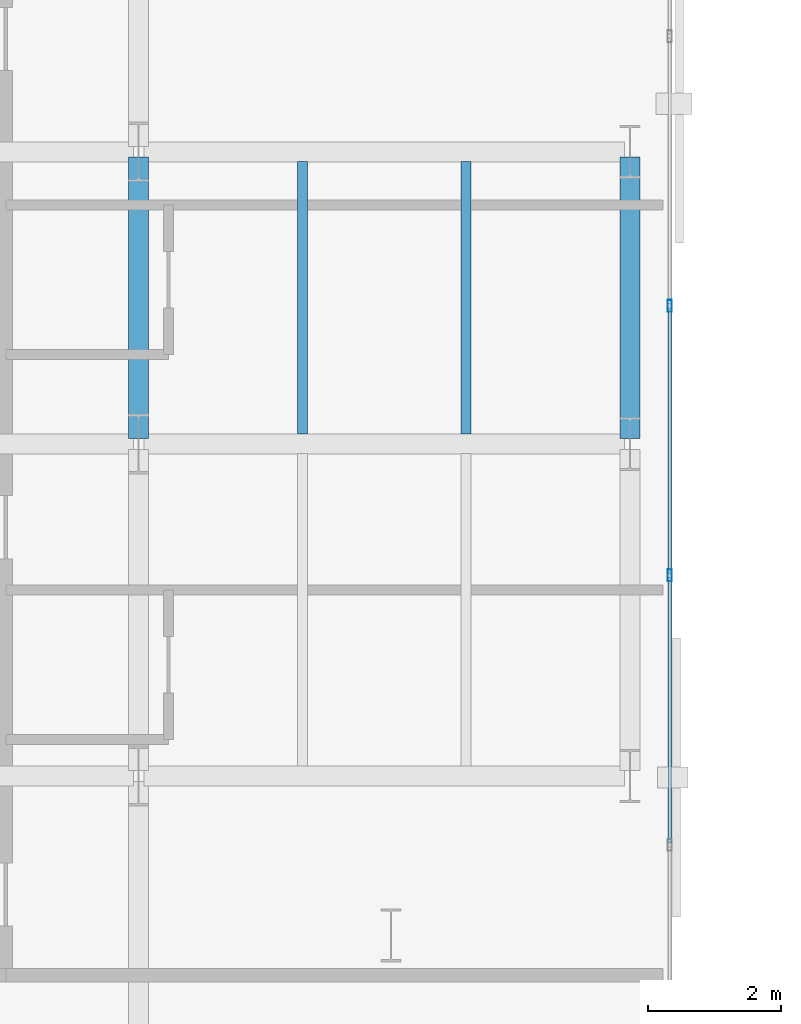
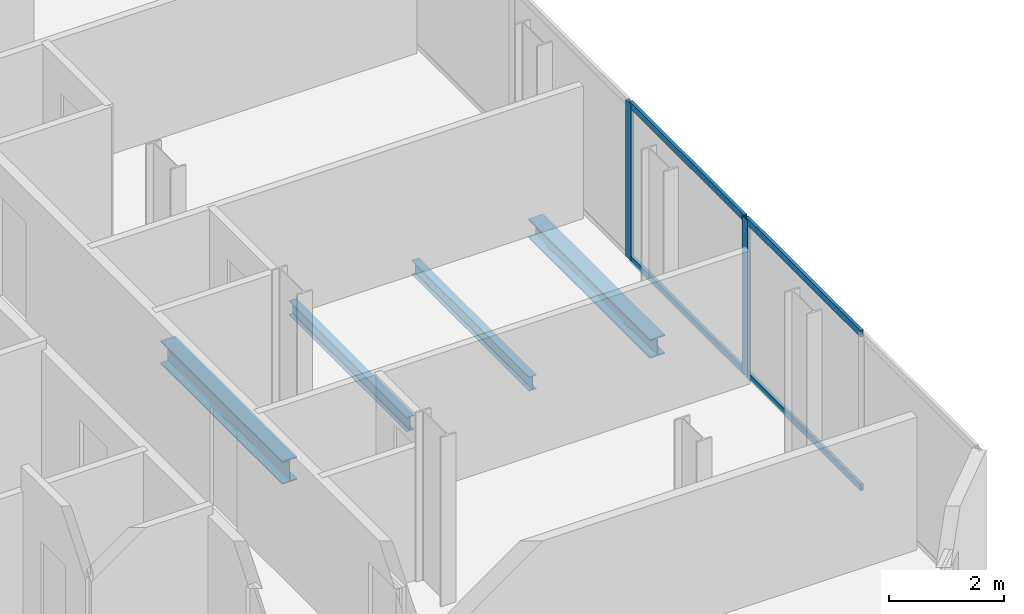
# One storey, part 8 of 32: 6 members, 4 beams, 1 element without a shape of its own.
"""IFC4 building model written with IfcOpenShell, lengths in metres."""

from ifc_helpers import new_model, si_unit, direction, frame, origin, origin_2d, place, context, subcontext, project, spatial, hollow_rectangle, i_section, extrude, material, layer, layer_set, material_profile, profile_set, type_object, element, aggregate, save


model = new_model("IFC4")

# Units and contexts
model_context = context("Model", 3, precision=1e-05, world=origin(), true_north=direction((0.0, 1.0)))
body_context = subcontext(model_context, "Body", "Model", "MODEL_VIEW")
ifc_project = project(units=[si_unit("LENGTHUNIT", "METRE"), si_unit("AREAUNIT", "SQUARE_METRE"), si_unit("VOLUMEUNIT", "CUBIC_METRE"), si_unit("PLANEANGLEUNIT", "RADIAN"), si_unit("MASSUNIT", "GRAM", prefix="KILO")], contexts=[model_context])

# Site, building, storey
site_placement = place(None, origin())
site = spatial("IfcSite", under=ifc_project, at=site_placement, CompositionType="ELEMENT")
building_placement = place(site_placement, origin())
building = spatial("IfcBuilding", under=site, at=building_placement, Name="Catumbela Crestline Tower", CompositionType="ELEMENT")
storey_placement = place(building_placement, frame((0.0, 0.0, 69.0)))
storey = spatial("IfcBuildingStorey", under=building, at=storey_placement, Name="L17", CompositionType="ELEMENT", Elevation=69.0)

# Beams
ifc_material_1 = material(Name="Structural steel S355J2", Category="steel")
ifc_material_profile_1 = material_profile(ifc_material_1, i_section(OverallWidth=0.3, OverallDepth=0.49, WebThickness=0.012, FlangeThickness=0.023, FilletRadius=0.027, at=origin_2d()), Name="HEA 500")
ifc_profile_set_1 = profile_set([ifc_material_profile_1], Name="Structural steel S355J2")
beam_type_1 = type_object("IfcBeamType", Name="BG-HEA500", PredefinedType="BEAM", material=ifc_profile_set_1)
beam_1_placement = place(storey_placement, frame((16.0, 13.68, -0.505), z_axis=(0.0, 1.0, 0.0), x_axis=(-1.0, 0.0, 0.0)))
element("IfcBeam", 1, at=beam_1_placement, inside=storey, type_object=beam_type_1, Name="L17 Beam BM-L17-WNS66", PredefinedType="BEAM", context=body_context, shape_type="SweptSolid", body=[
    extrude(i_section(OverallWidth=0.3, OverallDepth=0.49, WebThickness=0.012, FlangeThickness=0.023, FilletRadius=0.027, at=origin_2d()), origin(), (0.0, 0.0, 1.0), 4.24),
])
ifc_material_profile_2 = material_profile(ifc_material_1, i_section(OverallWidth=0.15, OverallDepth=0.3, WebThickness=0.0071, FlangeThickness=0.0107, FilletRadius=0.015, at=origin_2d()), Name="IPE 300")
ifc_profile_set_2 = profile_set([ifc_material_profile_2], Name="Structural steel S355J2")
beam_type_2 = type_object("IfcBeamType", Name="BJ-IPE300", PredefinedType="JOIST", material=ifc_profile_set_2)
for number, where, z_axis, x_axis, name in (
    (2, (18.467, 13.747, -0.41), (0.0, 1.0, 0.0), (-1.0, 0.0, 0.0), "L17 Joist JS-L17-WG80"),
    (3, (20.933, 13.747, -0.41), (0.0, 1.0, 0.0), (-1.0, 0.0, 0.0), "L17 Joist JS-L17-WG81"),
):
    element("IfcBeam", number, at=place(storey_placement, frame(where, z_axis=z_axis, x_axis=x_axis)), inside=storey, type_object=beam_type_2, Name=name, PredefinedType="JOIST", context=body_context, shape_type="SweptSolid", body=[
        extrude(i_section(OverallWidth=0.15, OverallDepth=0.3, WebThickness=0.0071, FlangeThickness=0.0107, FilletRadius=0.015, at=origin_2d()), origin(), (0.0, 0.0, 1.0), 4.106),
    ])

# Curtain wall, members
ifc_material_2 = material(Name="Aluminium alloy AW-6060-T66", Category="aluminium")
ifc_layer = layer(ifc_material_2, 0.18, Name="Aluminium alloy AW-6060-T66")
ifc_layer_set = layer_set([ifc_layer], Name="Aluminium alloy AW-6060-T66")
curtain_wall_type = type_object("IfcCurtainWallType", Name="CWU-Z1", PredefinedType="USERDEFINED", material=ifc_layer_set)
curtain_wall_placement = place(storey_placement, origin())
curtain_wall = element("IfcCurtainWall", 4, at=curtain_wall_placement, inside=storey, type_object=curtain_wall_type, Name="L17 Unitised Curtain Wall CW-L17-E2S1", ObjectType="UNITISED", PredefinedType="USERDEFINED")
ifc_material_profile_3 = material_profile(ifc_material_2, hollow_rectangle(XDim=0.065, YDim=0.18, WallThickness=0.004, at=origin_2d()), Name="ALU 180x65x4")
ifc_profile_set_3 = profile_set([ifc_material_profile_3], Name="Aluminium alloy AW-6060-T66")
member_type_1 = type_object("IfcMemberType", Name="MUL-180X65", PredefinedType="MULLION", material=ifc_profile_set_3)
member_1_placement = place(storey_placement, frame((24.0, 11.62, 0.0), z_axis=(0.0, 0.0, 1.0), x_axis=(-1.0, 0.0, 0.0)))
member_1 = element("IfcMember", 5, at=member_1_placement, type_object=member_type_1, Name="CWU-Z1 mullion 3", PredefinedType="MULLION", context=body_context, shape_type="SweptSolid", body=[
    extrude(hollow_rectangle(XDim=0.065, YDim=0.18, WallThickness=0.004, at=origin_2d()), origin(), (0.0, 0.0, 1.0), 3.33),
])
member_2_placement = place(storey_placement, frame((24.0, 15.68, 0.0), z_axis=(0.0, 0.0, 1.0), x_axis=(-1.0, 0.0, 0.0)))
member_2 = element("IfcMember", 6, at=member_2_placement, type_object=member_type_1, Name="CWU-Z1 mullion 4", PredefinedType="MULLION", context=body_context, shape_type="SweptSolid", body=[
    extrude(hollow_rectangle(XDim=0.065, YDim=0.18, WallThickness=0.004, at=origin_2d()), origin(), (0.0, 0.0, 1.0), 3.33),
])

# Beam
ifc_material_profile_4 = material_profile(ifc_material_1, i_section(OverallWidth=0.3, OverallDepth=0.4, WebThickness=0.0135, FlangeThickness=0.024, FilletRadius=0.027, at=origin_2d()), Name="HEB 400")
ifc_profile_set_4 = profile_set([ifc_material_profile_4], Name="Structural steel S355J2")
beam_type_3 = type_object("IfcBeamType", Name="BS-HEB400", PredefinedType="SPANDREL", material=ifc_profile_set_4)
beam_2_placement = place(storey_placement, frame((23.4, 13.68, -0.46), z_axis=(0.0, 1.0, 0.0), x_axis=(-1.0, 0.0, 0.0)))
element("IfcBeam", 7, at=beam_2_placement, inside=storey, type_object=beam_type_3, Name="L17 Spandrel SP-L17-WNS69", PredefinedType="SPANDREL", context=body_context, shape_type="SweptSolid", body=[
    extrude(i_section(OverallWidth=0.3, OverallDepth=0.4, WebThickness=0.0135, FlangeThickness=0.024, FilletRadius=0.027, at=origin_2d()), origin(), (0.0, 0.0, 1.0), 4.24),
])

# Member
ifc_material_profile_5 = material_profile(ifc_material_2, hollow_rectangle(XDim=0.06, YDim=0.14, WallThickness=0.004, at=origin_2d()), Name="ALU 140x60x4")
ifc_profile_set_5 = profile_set([ifc_material_profile_5], Name="Aluminium alloy AW-6060-T66")
member_type_2 = type_object("IfcMemberType", Name="TRN-140X60", PredefinedType="USERDEFINED", material=ifc_profile_set_5)
member_3_placement = place(storey_placement, frame((24.0, 7.5925, 0.03), z_axis=(0.0, 1.0, 0.0), x_axis=(-1.0, 0.0, 0.0)))
member_3 = element("IfcMember", 8, at=member_3_placement, type_object=member_type_2, Name="CWU-Z1 transom 2.1", ObjectType="TRANSOM", PredefinedType="USERDEFINED", context=body_context, shape_type="SweptSolid", body=[
    extrude(hollow_rectangle(XDim=0.06, YDim=0.14, WallThickness=0.004, at=origin_2d()), origin(), (0.0, 0.0, 1.0), 3.995),
])

member_4_placement = place(storey_placement, frame((24.0, 7.5925, 3.3), z_axis=(0.0, 1.0, 0.0), x_axis=(-1.0, 0.0, 0.0)))
member_4 = element("IfcMember", 9, at=member_4_placement, type_object=member_type_2, Name="CWU-Z1 transom 2.2", ObjectType="TRANSOM", PredefinedType="USERDEFINED", context=body_context, shape_type="SweptSolid", body=[
    extrude(hollow_rectangle(XDim=0.06, YDim=0.14, WallThickness=0.004, at=origin_2d()), origin(), (0.0, 0.0, 1.0), 3.995),
])

member_5_placement = place(storey_placement, frame((24.0, 11.6525, 0.03), z_axis=(0.0, 1.0, 0.0), x_axis=(-1.0, 0.0, 0.0)))
member_5 = element("IfcMember", 10, at=member_5_placement, type_object=member_type_2, Name="CWU-Z1 transom 3.1", ObjectType="TRANSOM", PredefinedType="USERDEFINED", context=body_context, shape_type="SweptSolid", body=[
    extrude(hollow_rectangle(XDim=0.06, YDim=0.14, WallThickness=0.004, at=origin_2d()), origin(), (0.0, 0.0, 1.0), 3.995),
])

member_6_placement = place(storey_placement, frame((24.0, 11.6525, 3.3), z_axis=(0.0, 1.0, 0.0), x_axis=(-1.0, 0.0, 0.0)))
member_6 = element("IfcMember", 11, at=member_6_placement, type_object=member_type_2, Name="CWU-Z1 transom 3.2", ObjectType="TRANSOM", PredefinedType="USERDEFINED", context=body_context, shape_type="SweptSolid", body=[
    extrude(hollow_rectangle(XDim=0.06, YDim=0.14, WallThickness=0.004, at=origin_2d()), origin(), (0.0, 0.0, 1.0), 3.995),
])

aggregate(curtain_wall, [member_1, member_2, member_3, member_4, member_5, member_6])

save(model, "model.ifc")
